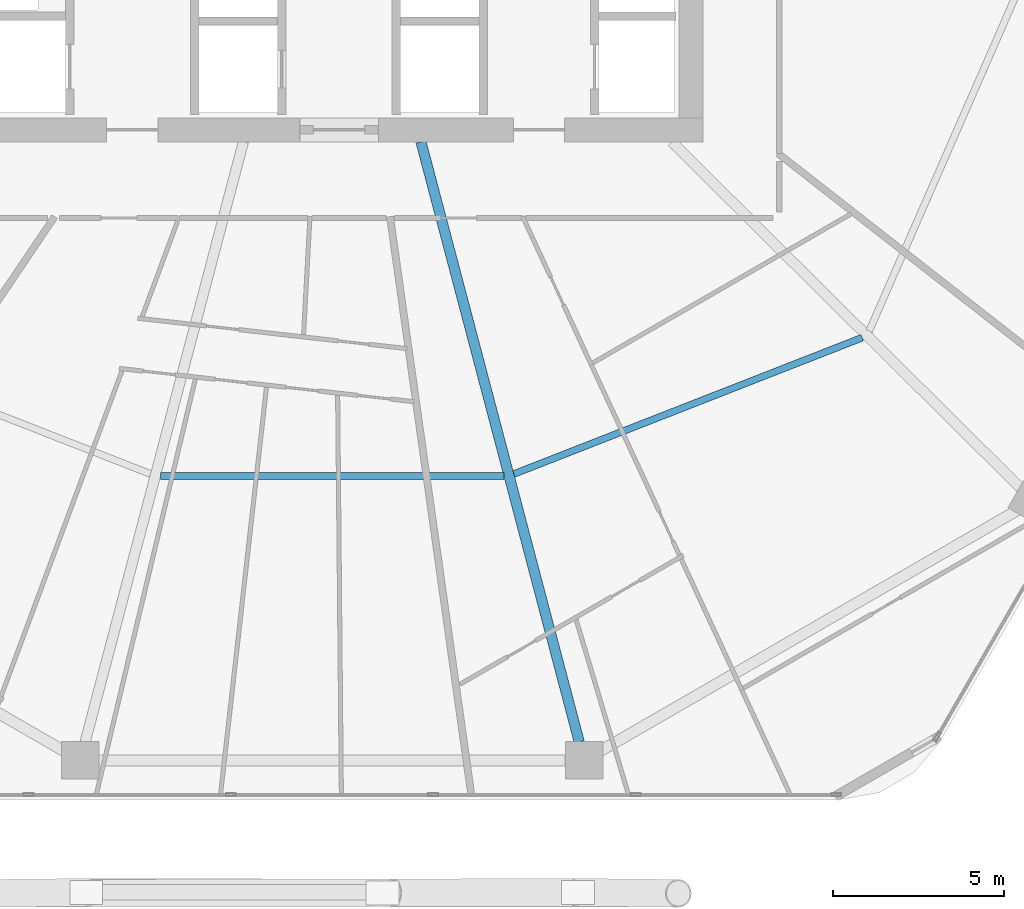
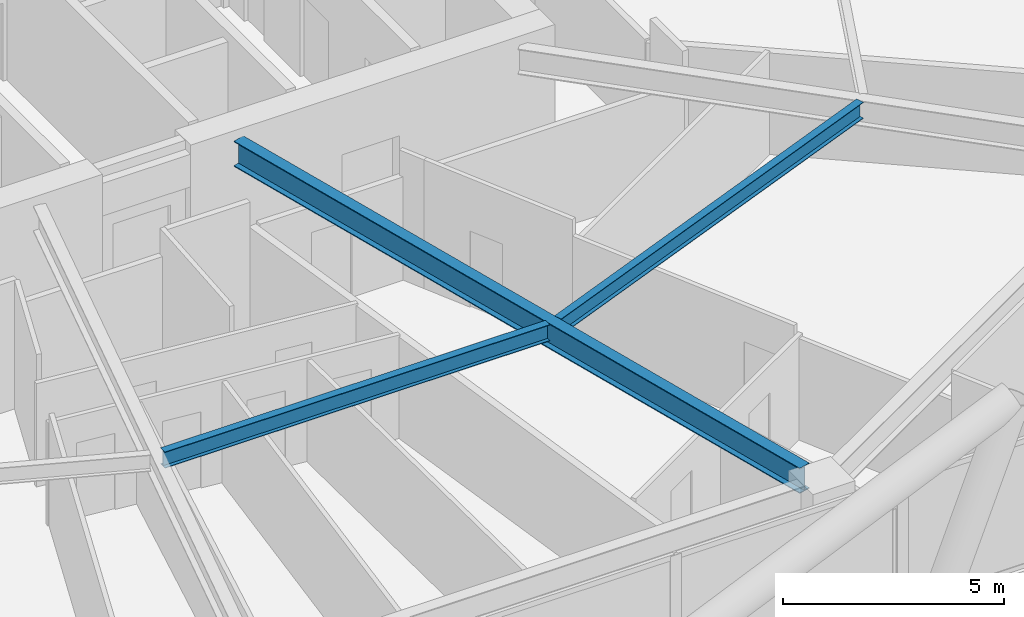
# One storey, part 8 of 34: 3 beams.
"""IFC4 building model written with IfcOpenShell, lengths in metres."""

from ifc_helpers import new_model, si_unit, direction, frame, origin, origin_2d, place, context, subcontext, project, spatial, i_section, extrude, material, material_profile, profile_set, type_object, element, save


model = new_model("IFC4")

# Units and contexts
model_context = context("Model", 3, precision=1e-05, world=origin(), true_north=direction((0.0, 1.0)))
body_context = subcontext(model_context, "Body", "Model", "MODEL_VIEW")
ifc_project = project(units=[si_unit("LENGTHUNIT", "METRE"), si_unit("AREAUNIT", "SQUARE_METRE"), si_unit("VOLUMEUNIT", "CUBIC_METRE"), si_unit("PLANEANGLEUNIT", "RADIAN"), si_unit("MASSUNIT", "GRAM", prefix="KILO")], contexts=[model_context])

# Site, building, storey
site_placement = place(None, origin())
site = spatial("IfcSite", under=ifc_project, at=site_placement, CompositionType="ELEMENT")
building_placement = place(site_placement, origin())
building = spatial("IfcBuilding", under=site, at=building_placement, Name="Zuhravey Tower", CompositionType="ELEMENT")
storey_placement = place(building_placement, frame((0.0, 0.0, 100.0)))
storey = spatial("IfcBuildingStorey", under=building, at=storey_placement, Name="L24", CompositionType="ELEMENT", Elevation=100.0)

# Beams
ifc_material = material(Name="Steel SM355", Category="steel")
ifc_material_profile_1 = material_profile(ifc_material, i_section(OverallWidth=0.300048828125, OverallDepth=0.699951171875, WebThickness=0.012939453125, FlangeThickness=0.02392578125, at=origin_2d()), Name="H-700x300x13x24")
ifc_profile_set_1 = profile_set([ifc_material_profile_1], Name="Steel SM355")
beam_type_1 = type_object("IfcBeamType", Name="Radial Primary Girder H700x300", PredefinedType="BEAM", material=ifc_profile_set_1)
beam_1_placement = place(storey_placement, frame((38.59814453125, 22.14697265625, 3.199951171875), z_axis=(0.25498755891, -0.966944333869, 0.0), x_axis=(0.966944333869, 0.25498755891, 0.0)))
element("IfcBeam", 1, at=beam_1_placement, inside=storey, type_object=beam_type_1, Name="L24 RG1 BM-L24-RAD-10", PredefinedType="BEAM", context=body_context, shape_type="SweptSolid", body=[
    extrude(i_section(OverallWidth=0.300048828125, OverallDepth=0.699951171875, WebThickness=0.012939453125, FlangeThickness=0.02392578125, at=origin_2d()), origin(), (0.0, 0.0, 1.0), 18.1611328125),
])
ifc_material_profile_2 = material_profile(ifc_material, i_section(OverallWidth=0.199951171875, OverallDepth=0.449951171875, WebThickness=0.009033203125, FlangeThickness=0.013916015625, at=origin_2d()), Name="H-450x200x9x14")
ifc_profile_set_2 = profile_set([ifc_material_profile_2], Name="Steel SM355")
beam_type_2 = type_object("IfcBeamType", Name="Secondary Floor Joist H450x200", PredefinedType="JOIST", material=ifc_profile_set_2)
beam_2_placement = place(storey_placement, frame((30.97900390625, 12.37548828125, 3.324951171875), z_axis=(1.0, 0.0, 0.0), x_axis=(0.0, 1.0, 0.0)))
element("IfcBeam", 2, at=beam_2_placement, inside=storey, type_object=beam_type_2, Name="L24 SJ1 BM-L24-SJ-09-1", PredefinedType="JOIST", context=body_context, shape_type="SweptSolid", body=[
    extrude(i_section(OverallWidth=0.199951171875, OverallDepth=0.449951171875, WebThickness=0.009033203125, FlangeThickness=0.013916015625, at=origin_2d()), origin(), (0.0, 0.0, 1.0), 10.0419921875),
])
beam_3_placement = place(storey_placement, frame((41.318359375, 12.431640625, 3.324951171875), z_axis=(0.931216764731, 0.364465824302, 0.0), x_axis=(-0.364465824302, 0.931216764731, 0.0)))
element("IfcBeam", 3, at=beam_3_placement, inside=storey, type_object=beam_type_2, Name="L24 SJ1 BM-L24-SJ-10-1", PredefinedType="JOIST", context=body_context, shape_type="SweptSolid", body=[
    extrude(i_section(OverallWidth=0.199951171875, OverallDepth=0.449951171875, WebThickness=0.009033203125, FlangeThickness=0.013916015625, at=origin_2d()), origin(), (0.0, 0.0, 1.0), 10.939453125),
])

save(model, "model.ifc")
